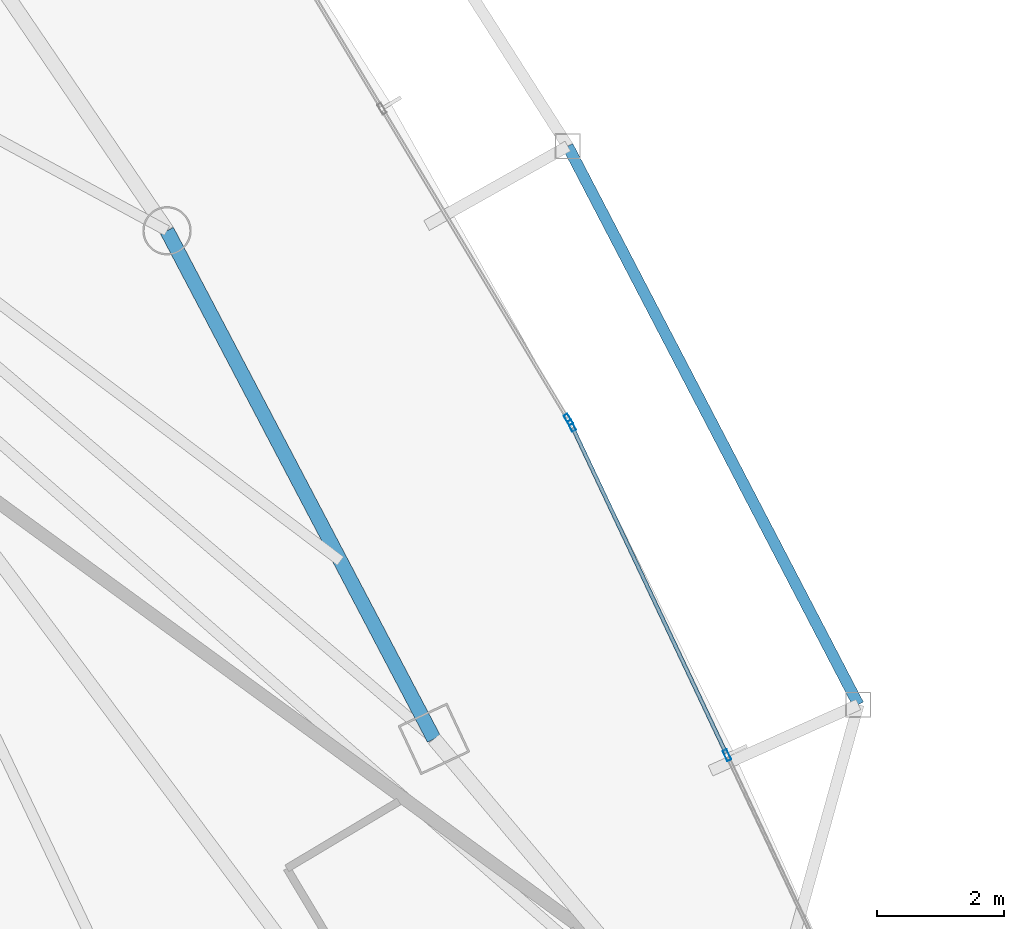
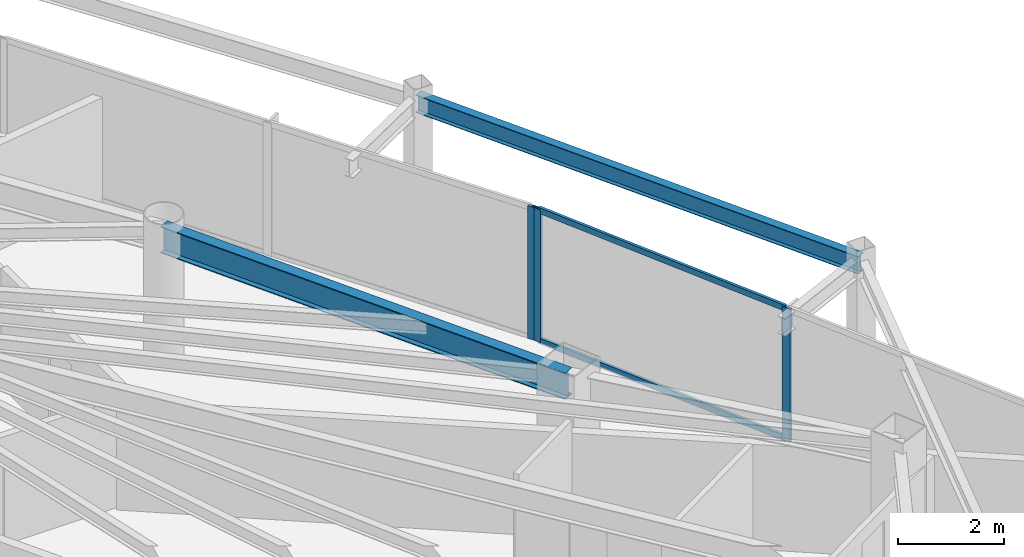
# One storey, part 16 of 33: 5 members, 2 beams, 2 elements without a shape of their own.
"""IFC4 building model written with IfcOpenShell, lengths in metres."""

from ifc_helpers import new_model, si_unit, direction, frame, origin, origin_2d, place, context, subcontext, project, spatial, hollow_rectangle, i_section, extrude, material, layer, layer_set, material_profile, profile_set, type_object, element, aggregate, save


model = new_model("IFC4")

# Units and contexts
model_context = context("Model", 3, precision=1e-05, world=origin(), true_north=direction((0.0, 1.0)))
body_context = subcontext(model_context, "Body", "Model", "MODEL_VIEW")
ifc_project = project(units=[si_unit("LENGTHUNIT", "METRE"), si_unit("AREAUNIT", "SQUARE_METRE"), si_unit("VOLUMEUNIT", "CUBIC_METRE"), si_unit("PLANEANGLEUNIT", "RADIAN"), si_unit("MASSUNIT", "GRAM", prefix="KILO")], contexts=[model_context])

# Site, building, storey
site_placement = place(None, origin())
site = spatial("IfcSite", under=ifc_project, at=site_placement, CompositionType="ELEMENT")
building_placement = place(site_placement, origin())
building = spatial("IfcBuilding", under=site, at=building_placement, Name="Orvanel Arch Residences", CompositionType="ELEMENT")
storey_placement = place(building_placement, frame((0.0, 0.0, 119.89990234375)))
storey = spatial("IfcBuildingStorey", under=building, at=storey_placement, Name="L33", CompositionType="ELEMENT", Elevation=119.89990234375)

# Curtain wall, members
ifc_material_1 = material(Name="Bronze-anodised aluminium AA6063-T6", Category="aluminium")
ifc_layer = layer(ifc_material_1, 0.179931640625)
ifc_layer_set = layer_set([ifc_layer], Name="Bronze-anodised aluminium AA6063-T6")
curtain_wall_type = type_object("IfcCurtainWallType", Name="CW3-MID-SYS", PredefinedType="NOTDEFINED", material=ifc_layer_set)
curtain_wall_1_placement = place(storey_placement, origin())
curtain_wall_1 = element("IfcCurtainWall", 1, at=curtain_wall_1_placement, inside=storey, type_object=curtain_wall_type, Name="L33 CW3-MID-SYS Unitised Curtain Wall", PredefinedType="NOTDEFINED")
ifc_material_profile_1 = material_profile(ifc_material_1, hollow_rectangle(XDim=0.070068359375, YDim=0.179931640625, WallThickness=0.00439453125, at=origin_2d()), Name="ALU180x70x4.5")
ifc_profile_set_1 = profile_set([ifc_material_profile_1], Name="Bronze-anodised aluminium AA6063-T6")
member_type_1 = type_object("IfcMemberType", Name="MUL-180x70", PredefinedType="MULLION", material=ifc_profile_set_1)
member_1_placement = place(storey_placement, frame((54.24609375, 19.385009765625, 0.0), z_axis=(0.0, 0.0, 1.0), x_axis=(-0.904551426474, -0.426364535184, 0.0)))
member_1 = element("IfcMember", 2, at=member_1_placement, type_object=member_type_1, Name="CW-S3 mullion 2", PredefinedType="MULLION", context=body_context, shape_type="SweptSolid", body=[
    extrude(hollow_rectangle(XDim=0.070068359375, YDim=0.179931640625, WallThickness=0.00439453125, at=origin_2d()), origin(), (0.0, 0.0, 1.0), 3.06005859375),
])
member_2_placement = place(storey_placement, frame((51.801025390625, 24.572265625, 0.0), z_axis=(0.0, 0.0, 1.0), x_axis=(-0.904551426474, -0.426364535184, 0.0)))
member_2 = element("IfcMember", 3, at=member_2_placement, type_object=member_type_1, Name="CW-S3 mullion 3", PredefinedType="MULLION", context=body_context, shape_type="SweptSolid", body=[
    extrude(hollow_rectangle(XDim=0.070068359375, YDim=0.179931640625, WallThickness=0.00439453125, at=origin_2d()), origin(), (0.0, 0.0, 1.0), 3.06005859375),
])

# Curtain wall, member
curtain_wall_2_placement = place(storey_placement, origin())
curtain_wall_2 = element("IfcCurtainWall", 4, at=curtain_wall_2_placement, inside=storey, type_object=curtain_wall_type, Name="L33 CW3-MID-SYS Unitised Curtain Wall", PredefinedType="NOTDEFINED")
member_3_placement = place(storey_placement, frame((51.7490234375, 24.6689453125, 0.0), z_axis=(0.0, 0.0, 1.0), x_axis=(-0.857515978834, -0.514457331608, 0.0)))
member_3 = element("IfcMember", 5, at=member_3_placement, type_object=member_type_1, Name="CW-S3 mullion 1", PredefinedType="MULLION", context=body_context, shape_type="SweptSolid", body=[
    extrude(hollow_rectangle(XDim=0.070068359375, YDim=0.179931640625, WallThickness=0.00439453125, at=origin_2d()), origin(), (0.0, 0.0, 1.0), 3.06005859375),
])
aggregate(curtain_wall_2, [member_3])

# Beams
ifc_material_2 = material(Name="Structural steel AS/NZS 3679.1 Grade 300 (300 MPa)", Category="steel")
ifc_material_profile_2 = material_profile(ifc_material_2, i_section(OverallWidth=0.177978515625, OverallDepth=0.406005859375, WebThickness=0.0078125, FlangeThickness=0.0126953125, at=origin_2d()), Name="410UB59.7")
ifc_profile_set_2 = profile_set([ifc_material_profile_2], Name="Structural steel AS/NZS 3679.1 Grade 300 (300 MPa)")
beam_type_1 = type_object("IfcBeamType", Name="OB-410UB-EXT", PredefinedType="SPANDREL", material=ifc_profile_set_2)
beam_1_placement = place(storey_placement, frame((56.31494140625, 20.181884765625, 2.857177734375), z_axis=(-0.461640485936, 0.887067112311, 0.0), x_axis=(-0.887067112311, -0.461640485936, 0.0)))
element("IfcBeam", 6, at=beam_1_placement, inside=storey, type_object=beam_type_1, Name="L33 Outer Perimeter Floor Ring Beam 09", PredefinedType="SPANDREL", context=body_context, shape_type="SweptSolid", body=[
    extrude(i_section(OverallWidth=0.177978515625, OverallDepth=0.406005859375, WebThickness=0.0078125, FlangeThickness=0.0126953125, at=origin_2d()), origin(), (0.0, 0.0, 1.0), 9.91015625),
])
ifc_material_profile_3 = material_profile(ifc_material_2, i_section(OverallWidth=0.22900390625, OverallDepth=0.612060546875, WebThickness=0.011962890625, FlangeThickness=0.01953125, at=origin_2d()), Name="610UB125")
ifc_profile_set_3 = profile_set([ifc_material_profile_3], Name="Structural steel AS/NZS 3679.1 Grade 300 (300 MPa)")
beam_type_2 = type_object("IfcBeamType", Name="SP-610UB", PredefinedType="SPANDREL", material=ifc_profile_set_3)
beam_2_placement = place(storey_placement, frame((49.633056640625, 19.64208984375, 2.754150390625), z_axis=(-0.465064762793, 0.885276660942, 0.0), x_axis=(-0.885276660942, -0.465064762793, 0.0)))
element("IfcBeam", 7, at=beam_2_placement, inside=storey, type_object=beam_type_2, Name="L33 Perimeter Spandrel Beam 11", PredefinedType="SPANDREL", context=body_context, shape_type="SweptSolid", body=[
    extrude(i_section(OverallWidth=0.22900390625, OverallDepth=0.612060546875, WebThickness=0.011962890625, FlangeThickness=0.01953125, at=origin_2d()), origin(), (0.0, 0.0, 1.0), 9.03564453125),
])

# Member
ifc_material_profile_4 = material_profile(ifc_material_1, hollow_rectangle(XDim=0.06005859375, YDim=0.135009765625, WallThickness=0.00390625, at=origin_2d()), Name="ALU135x60x4")
ifc_profile_set_4 = profile_set([ifc_material_profile_4], Name="Bronze-anodised aluminium AA6063-T6")
member_type_2 = type_object("IfcMemberType", Name="TRN-135x60", PredefinedType="USERDEFINED", material=ifc_profile_set_4)
member_4_placement = place(storey_placement, frame((54.23095703125, 19.416748046875, 0.030029296875), z_axis=(-0.426336615454, 0.904564586043, 0.0), x_axis=(-0.904564586043, -0.426336615454, 0.0)))
member_4 = element("IfcMember", 8, at=member_4_placement, type_object=member_type_2, Name="CW-S3 transom 2.1", ObjectType="TRANSOM", PredefinedType="USERDEFINED", context=body_context, shape_type="SweptSolid", body=[
    extrude(hollow_rectangle(XDim=0.06005859375, YDim=0.135009765625, WallThickness=0.00390625, at=origin_2d()), origin(), (0.0, 0.0, 1.0), 5.66455078125),
])

member_5_placement = place(storey_placement, frame((54.23095703125, 19.416748046875, 3.030029296875), z_axis=(-0.426336615454, 0.904564586043, 0.0), x_axis=(-0.904564586043, -0.426336615454, 0.0)))
member_5 = element("IfcMember", 9, at=member_5_placement, type_object=member_type_2, Name="CW-S3 transom 2.2", ObjectType="TRANSOM", PredefinedType="USERDEFINED", context=body_context, shape_type="SweptSolid", body=[
    extrude(hollow_rectangle(XDim=0.06005859375, YDim=0.135009765625, WallThickness=0.00390625, at=origin_2d()), origin(), (0.0, 0.0, 1.0), 5.66455078125),
])

aggregate(curtain_wall_1, [member_1, member_2, member_4, member_5])

save(model, "model.ifc")
